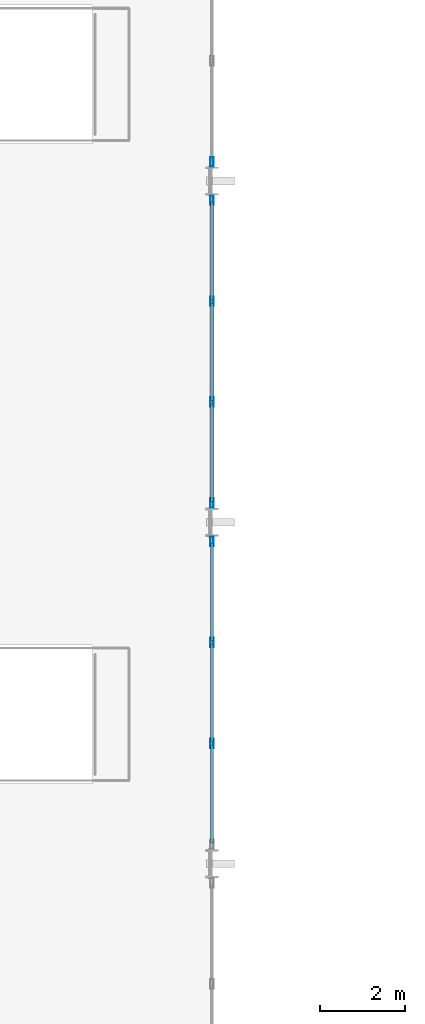
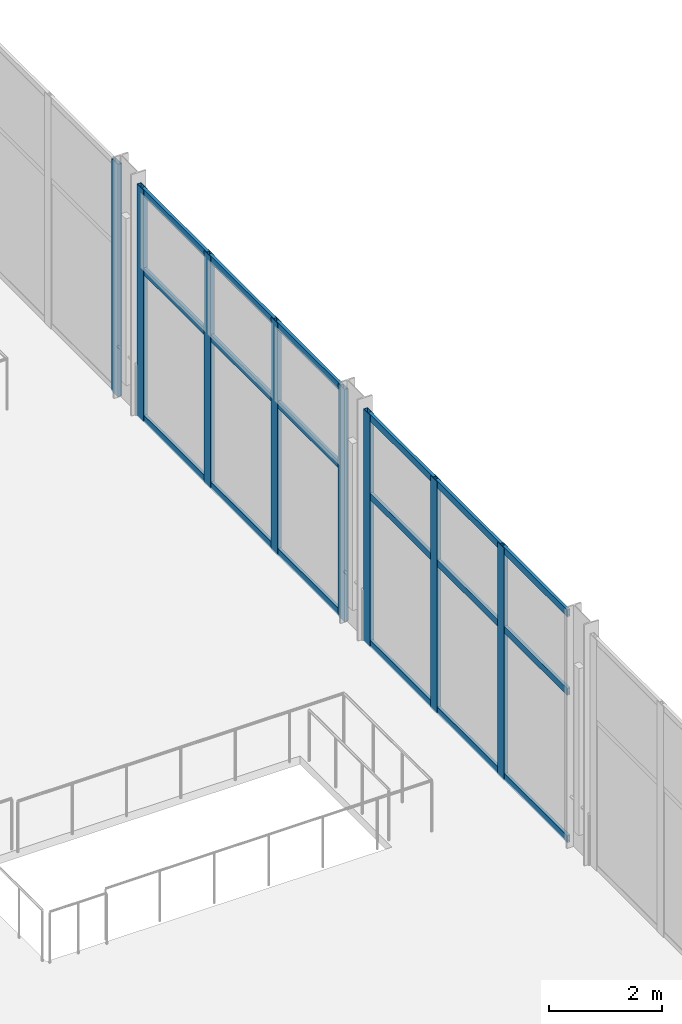
# One storey, part 77 of 195: 26 members, 3 elements without a shape of their own.
"""IFC4 building model written with IfcOpenShell, lengths in metres."""

from ifc_helpers import new_model, si_unit, direction, frame, origin, origin_2d, place, context, subcontext, project, spatial, hollow_rectangle, extrude, material, layer, layer_set, material_profile, profile_set, type_object, element, aggregate, save


model = new_model("IFC4")

# Units and contexts
model_context = context("Model", 3, precision=1e-05, world=origin(), true_north=direction((0.0, 1.0)))
body_context = subcontext(model_context, "Body", "Model", "MODEL_VIEW")
ifc_project = project(units=[si_unit("LENGTHUNIT", "METRE"), si_unit("AREAUNIT", "SQUARE_METRE"), si_unit("VOLUMEUNIT", "CUBIC_METRE"), si_unit("PLANEANGLEUNIT", "RADIAN"), si_unit("MASSUNIT", "GRAM", prefix="KILO")], contexts=[model_context])

# Site, building, storey
site_placement = place(None, origin())
site = spatial("IfcSite", under=ifc_project, at=site_placement, CompositionType="ELEMENT")
building_placement = place(site_placement, origin())
building = spatial("IfcBuilding", under=site, at=building_placement, Name="Marlcrest Central Station", CompositionType="ELEMENT")
storey_placement = place(building_placement, frame((0.0, 0.0, 9.800048828125)))
storey = spatial("IfcBuildingStorey", under=building, at=storey_placement, Name="L02", CompositionType="ELEMENT", Elevation=9.800048828125)

# Curtain wall, members
ifc_material_1 = material(Name="Anodised aluminium and hurricane laminated glass", Category="aluminium")
ifc_layer = layer(ifc_material_1, 0.219970703125, Name="CW-U1")
ifc_layer_set = layer_set([ifc_layer], Name="Anodised aluminium and hurricane laminated glass")
curtain_wall_type = type_object("IfcCurtainWallType", Name="CW-U1", PredefinedType="USERDEFINED", material=ifc_layer_set)
curtain_wall_1_placement = place(storey_placement, origin())
curtain_wall_1 = element("IfcCurtainWall", 1, at=curtain_wall_1_placement, inside=storey, type_object=curtain_wall_type, Name="cw-L02-0120", ObjectType="UNITISED_CURTAIN_WALL", PredefinedType="USERDEFINED")
ifc_material_2 = material(Name="Anodised aluminium 6063-T6", Category="aluminium")
ifc_material_profile_1 = material_profile(ifc_material_2, hollow_rectangle(XDim=0.080078125, YDim=0.219970703125, WallThickness=0.006103515625, at=origin_2d()), Name="AA-RHS 220x80x6")
ifc_profile_set_1 = profile_set([ifc_material_profile_1], Name="Anodised aluminium 6063-T6")
member_type_1 = type_object("IfcMemberType", Name="ML-01", PredefinedType="MULLION", material=ifc_profile_set_1)
member_1_placement = place(storey_placement, frame((129.0, 70.050048828125, -0.030029296875), z_axis=(0.0, 0.0, 1.0), x_axis=(1.0, 0.0, 0.0)))
member_1 = element("IfcMember", 2, at=member_1_placement, type_object=member_type_1, Name="cw-L02-0120-ml-0", PredefinedType="MULLION", context=body_context, shape_type="SweptSolid", body=[
    extrude(hollow_rectangle(XDim=0.080078125, YDim=0.219970703125, WallThickness=0.006103515625, at=origin_2d()), origin(), (0.0, 0.0, 1.0), 5.010009765625),
])
member_2_placement = place(storey_placement, frame((129.0, 67.683349609375, -0.030029296875), z_axis=(0.0, 0.0, 1.0), x_axis=(1.0, 0.0, 0.0)))
member_2 = element("IfcMember", 3, at=member_2_placement, type_object=member_type_1, Name="cw-L02-0120-ml-1", PredefinedType="MULLION", context=body_context, shape_type="SweptSolid", body=[
    extrude(hollow_rectangle(XDim=0.080078125, YDim=0.219970703125, WallThickness=0.006103515625, at=origin_2d()), origin(), (0.0, 0.0, 1.0), 5.010009765625),
])
member_3_placement = place(storey_placement, frame((129.0, 65.316650390625, -0.030029296875), z_axis=(0.0, 0.0, 1.0), x_axis=(1.0, 0.0, 0.0)))
member_3 = element("IfcMember", 4, at=member_3_placement, type_object=member_type_1, Name="cw-L02-0120-ml-2", PredefinedType="MULLION", context=body_context, shape_type="SweptSolid", body=[
    extrude(hollow_rectangle(XDim=0.080078125, YDim=0.219970703125, WallThickness=0.006103515625, at=origin_2d()), origin(), (0.0, 0.0, 1.0), 5.010009765625),
])

curtain_wall_2_placement = place(storey_placement, origin())
curtain_wall_2 = element("IfcCurtainWall", 5, at=curtain_wall_2_placement, inside=storey, type_object=curtain_wall_type, Name="cw-L02-0124", ObjectType="UNITISED_CURTAIN_WALL", PredefinedType="USERDEFINED")
member_4_placement = place(storey_placement, frame((129.0, 78.050048828125, -0.030029296875), z_axis=(0.0, 0.0, 1.0), x_axis=(1.0, 0.0, 0.0)))
member_4 = element("IfcMember", 6, at=member_4_placement, type_object=member_type_1, Name="cw-L02-0124-ml-0", PredefinedType="MULLION", context=body_context, shape_type="SweptSolid", body=[
    extrude(hollow_rectangle(XDim=0.080078125, YDim=0.219970703125, WallThickness=0.006103515625, at=origin_2d()), origin(), (0.0, 0.0, 1.0), 5.010009765625),
])
member_5_placement = place(storey_placement, frame((129.0, 75.683349609375, -0.030029296875), z_axis=(0.0, 0.0, 1.0), x_axis=(1.0, 0.0, 0.0)))
member_5 = element("IfcMember", 7, at=member_5_placement, type_object=member_type_1, Name="cw-L02-0124-ml-1", PredefinedType="MULLION", context=body_context, shape_type="SweptSolid", body=[
    extrude(hollow_rectangle(XDim=0.080078125, YDim=0.219970703125, WallThickness=0.006103515625, at=origin_2d()), origin(), (0.0, 0.0, 1.0), 5.010009765625),
])
member_6_placement = place(storey_placement, frame((129.0, 73.316650390625, -0.030029296875), z_axis=(0.0, 0.0, 1.0), x_axis=(1.0, 0.0, 0.0)))
member_6 = element("IfcMember", 8, at=member_6_placement, type_object=member_type_1, Name="cw-L02-0124-ml-2", PredefinedType="MULLION", context=body_context, shape_type="SweptSolid", body=[
    extrude(hollow_rectangle(XDim=0.080078125, YDim=0.219970703125, WallThickness=0.006103515625, at=origin_2d()), origin(), (0.0, 0.0, 1.0), 5.010009765625),
])
member_7_placement = place(storey_placement, frame((129.0, 70.949951171875, -0.030029296875), z_axis=(0.0, 0.0, 1.0), x_axis=(1.0, 0.0, 0.0)))
member_7 = element("IfcMember", 9, at=member_7_placement, type_object=member_type_1, Name="cw-L02-0124-ml-3", PredefinedType="MULLION", context=body_context, shape_type="SweptSolid", body=[
    extrude(hollow_rectangle(XDim=0.080078125, YDim=0.219970703125, WallThickness=0.006103515625, at=origin_2d()), origin(), (0.0, 0.0, 1.0), 5.010009765625),
])

# Curtain wall, member
curtain_wall_3_placement = place(storey_placement, origin())
curtain_wall_3 = element("IfcCurtainWall", 10, at=curtain_wall_3_placement, inside=storey, type_object=curtain_wall_type, Name="cw-L02-0128", ObjectType="UNITISED_CURTAIN_WALL", PredefinedType="USERDEFINED")
member_8_placement = place(storey_placement, frame((129.0, 78.949951171875, -0.030029296875), z_axis=(0.0, 0.0, 1.0), x_axis=(1.0, 0.0, 0.0)))
member_8 = element("IfcMember", 11, at=member_8_placement, type_object=member_type_1, Name="cw-L02-0128-ml-3", PredefinedType="MULLION", context=body_context, shape_type="SweptSolid", body=[
    extrude(hollow_rectangle(XDim=0.080078125, YDim=0.219970703125, WallThickness=0.006103515625, at=origin_2d()), origin(), (0.0, 0.0, 1.0), 5.010009765625),
])
aggregate(curtain_wall_3, [member_8])

# Member
ifc_material_profile_2 = material_profile(ifc_material_2, hollow_rectangle(XDim=0.06005859375, YDim=0.14990234375, WallThickness=0.00390625, at=origin_2d()), Name="AA-RHS 150x60x4")
ifc_profile_set_2 = profile_set([ifc_material_profile_2], Name="Anodised aluminium 6063-T6")
member_type_2 = type_object("IfcMemberType", Name="TR-01", PredefinedType="USERDEFINED", material=ifc_profile_set_2)
member_9_placement = place(storey_placement, frame((129.0, 70.011962890625, 0.0400390625), z_axis=(0.0, -1.0, 0.0), x_axis=(1.0, 0.0, 0.0)))
member_9 = element("IfcMember", 12, at=member_9_placement, type_object=member_type_2, Name="cw-L02-0120-tr-0-sill", ObjectType="TRANSOM", PredefinedType="USERDEFINED", context=body_context, shape_type="SweptSolid", body=[
    extrude(hollow_rectangle(XDim=0.06005859375, YDim=0.14990234375, WallThickness=0.00390625, at=origin_2d()), origin(), (0.0, 0.0, 1.0), 2.290771484375),
])

member_10_placement = place(storey_placement, frame((129.0, 70.011962890625, 3.218017578125), z_axis=(0.0, -1.0, 0.0), x_axis=(1.0, 0.0, 0.0)))
member_10 = element("IfcMember", 13, at=member_10_placement, type_object=member_type_2, Name="cw-L02-0120-tr-0-mid", ObjectType="TRANSOM", PredefinedType="USERDEFINED", context=body_context, shape_type="SweptSolid", body=[
    extrude(hollow_rectangle(XDim=0.06005859375, YDim=0.14990234375, WallThickness=0.00390625, at=origin_2d()), origin(), (0.0, 0.0, 1.0), 2.290771484375),
])

member_11_placement = place(storey_placement, frame((129.0, 70.011962890625, 4.909912109375), z_axis=(0.0, -1.0, 0.0), x_axis=(1.0, 0.0, 0.0)))
member_11 = element("IfcMember", 14, at=member_11_placement, type_object=member_type_2, Name="cw-L02-0120-tr-0-head", ObjectType="TRANSOM", PredefinedType="USERDEFINED", context=body_context, shape_type="SweptSolid", body=[
    extrude(hollow_rectangle(XDim=0.06005859375, YDim=0.14990234375, WallThickness=0.00390625, at=origin_2d()), origin(), (0.0, 0.0, 1.0), 2.290771484375),
])

member_12_placement = place(storey_placement, frame((129.0, 67.645263671875, 0.0400390625), z_axis=(0.0, -1.0, 0.0), x_axis=(1.0, 0.0, 0.0)))
member_12 = element("IfcMember", 15, at=member_12_placement, type_object=member_type_2, Name="cw-L02-0120-tr-1-sill", ObjectType="TRANSOM", PredefinedType="USERDEFINED", context=body_context, shape_type="SweptSolid", body=[
    extrude(hollow_rectangle(XDim=0.06005859375, YDim=0.14990234375, WallThickness=0.00390625, at=origin_2d()), origin(), (0.0, 0.0, 1.0), 2.29052734375),
])

member_13_placement = place(storey_placement, frame((129.0, 67.645263671875, 3.218017578125), z_axis=(0.0, -1.0, 0.0), x_axis=(1.0, 0.0, 0.0)))
member_13 = element("IfcMember", 16, at=member_13_placement, type_object=member_type_2, Name="cw-L02-0120-tr-1-mid", ObjectType="TRANSOM", PredefinedType="USERDEFINED", context=body_context, shape_type="SweptSolid", body=[
    extrude(hollow_rectangle(XDim=0.06005859375, YDim=0.14990234375, WallThickness=0.00390625, at=origin_2d()), origin(), (0.0, 0.0, 1.0), 2.29052734375),
])

member_14_placement = place(storey_placement, frame((129.0, 67.645263671875, 4.909912109375), z_axis=(0.0, -1.0, 0.0), x_axis=(1.0, 0.0, 0.0)))
member_14 = element("IfcMember", 17, at=member_14_placement, type_object=member_type_2, Name="cw-L02-0120-tr-1-head", ObjectType="TRANSOM", PredefinedType="USERDEFINED", context=body_context, shape_type="SweptSolid", body=[
    extrude(hollow_rectangle(XDim=0.06005859375, YDim=0.14990234375, WallThickness=0.00390625, at=origin_2d()), origin(), (0.0, 0.0, 1.0), 2.29052734375),
])

member_15_placement = place(storey_placement, frame((129.0, 65.27880859375, 0.0400390625), z_axis=(0.0, -1.0, 0.0), x_axis=(1.0, 0.0, 0.0)))
member_15 = element("IfcMember", 18, at=member_15_placement, type_object=member_type_2, Name="cw-L02-0120-tr-2-sill", ObjectType="TRANSOM", PredefinedType="USERDEFINED", context=body_context, shape_type="SweptSolid", body=[
    extrude(hollow_rectangle(XDim=0.06005859375, YDim=0.14990234375, WallThickness=0.00390625, at=origin_2d()), origin(), (0.0, 0.0, 1.0), 2.290771484375),
])

member_16_placement = place(storey_placement, frame((129.0, 65.27880859375, 3.218017578125), z_axis=(0.0, -1.0, 0.0), x_axis=(1.0, 0.0, 0.0)))
member_16 = element("IfcMember", 19, at=member_16_placement, type_object=member_type_2, Name="cw-L02-0120-tr-2-mid", ObjectType="TRANSOM", PredefinedType="USERDEFINED", context=body_context, shape_type="SweptSolid", body=[
    extrude(hollow_rectangle(XDim=0.06005859375, YDim=0.14990234375, WallThickness=0.00390625, at=origin_2d()), origin(), (0.0, 0.0, 1.0), 2.290771484375),
])

member_17_placement = place(storey_placement, frame((129.0, 65.27880859375, 4.909912109375), z_axis=(0.0, -1.0, 0.0), x_axis=(1.0, 0.0, 0.0)))
member_17 = element("IfcMember", 20, at=member_17_placement, type_object=member_type_2, Name="cw-L02-0120-tr-2-head", ObjectType="TRANSOM", PredefinedType="USERDEFINED", context=body_context, shape_type="SweptSolid", body=[
    extrude(hollow_rectangle(XDim=0.06005859375, YDim=0.14990234375, WallThickness=0.00390625, at=origin_2d()), origin(), (0.0, 0.0, 1.0), 2.290771484375),
])

aggregate(curtain_wall_1, [member_1, member_2, member_3, member_9, member_10, member_11, member_12, member_13, member_14, member_15, member_16, member_17])

member_18_placement = place(storey_placement, frame((129.0, 78.011962890625, 0.0400390625), z_axis=(0.0, -1.0, 0.0), x_axis=(1.0, 0.0, 0.0)))
member_18 = element("IfcMember", 21, at=member_18_placement, type_object=member_type_2, Name="cw-L02-0124-tr-0-sill", ObjectType="TRANSOM", PredefinedType="USERDEFINED", context=body_context, shape_type="SweptSolid", body=[
    extrude(hollow_rectangle(XDim=0.06005859375, YDim=0.14990234375, WallThickness=0.00390625, at=origin_2d()), origin(), (0.0, 0.0, 1.0), 2.290771484375),
])

member_19_placement = place(storey_placement, frame((129.0, 78.011962890625, 3.218017578125), z_axis=(0.0, -1.0, 0.0), x_axis=(1.0, 0.0, 0.0)))
member_19 = element("IfcMember", 22, at=member_19_placement, type_object=member_type_2, Name="cw-L02-0124-tr-0-mid", ObjectType="TRANSOM", PredefinedType="USERDEFINED", context=body_context, shape_type="SweptSolid", body=[
    extrude(hollow_rectangle(XDim=0.06005859375, YDim=0.14990234375, WallThickness=0.00390625, at=origin_2d()), origin(), (0.0, 0.0, 1.0), 2.290771484375),
])

member_20_placement = place(storey_placement, frame((129.0, 78.011962890625, 4.909912109375), z_axis=(0.0, -1.0, 0.0), x_axis=(1.0, 0.0, 0.0)))
member_20 = element("IfcMember", 23, at=member_20_placement, type_object=member_type_2, Name="cw-L02-0124-tr-0-head", ObjectType="TRANSOM", PredefinedType="USERDEFINED", context=body_context, shape_type="SweptSolid", body=[
    extrude(hollow_rectangle(XDim=0.06005859375, YDim=0.14990234375, WallThickness=0.00390625, at=origin_2d()), origin(), (0.0, 0.0, 1.0), 2.290771484375),
])

member_21_placement = place(storey_placement, frame((129.0, 75.645263671875, 0.0400390625), z_axis=(0.0, -1.0, 0.0), x_axis=(1.0, 0.0, 0.0)))
member_21 = element("IfcMember", 24, at=member_21_placement, type_object=member_type_2, Name="cw-L02-0124-tr-1-sill", ObjectType="TRANSOM", PredefinedType="USERDEFINED", context=body_context, shape_type="SweptSolid", body=[
    extrude(hollow_rectangle(XDim=0.06005859375, YDim=0.14990234375, WallThickness=0.00390625, at=origin_2d()), origin(), (0.0, 0.0, 1.0), 2.29052734375),
])

member_22_placement = place(storey_placement, frame((129.0, 75.645263671875, 3.218017578125), z_axis=(0.0, -1.0, 0.0), x_axis=(1.0, 0.0, 0.0)))
member_22 = element("IfcMember", 25, at=member_22_placement, type_object=member_type_2, Name="cw-L02-0124-tr-1-mid", ObjectType="TRANSOM", PredefinedType="USERDEFINED", context=body_context, shape_type="SweptSolid", body=[
    extrude(hollow_rectangle(XDim=0.06005859375, YDim=0.14990234375, WallThickness=0.00390625, at=origin_2d()), origin(), (0.0, 0.0, 1.0), 2.29052734375),
])

member_23_placement = place(storey_placement, frame((129.0, 75.645263671875, 4.909912109375), z_axis=(0.0, -1.0, 0.0), x_axis=(1.0, 0.0, 0.0)))
member_23 = element("IfcMember", 26, at=member_23_placement, type_object=member_type_2, Name="cw-L02-0124-tr-1-head", ObjectType="TRANSOM", PredefinedType="USERDEFINED", context=body_context, shape_type="SweptSolid", body=[
    extrude(hollow_rectangle(XDim=0.06005859375, YDim=0.14990234375, WallThickness=0.00390625, at=origin_2d()), origin(), (0.0, 0.0, 1.0), 2.29052734375),
])

member_24_placement = place(storey_placement, frame((129.0, 73.27880859375, 0.0400390625), z_axis=(0.0, -1.0, 0.0), x_axis=(1.0, 0.0, 0.0)))
member_24 = element("IfcMember", 27, at=member_24_placement, type_object=member_type_2, Name="cw-L02-0124-tr-2-sill", ObjectType="TRANSOM", PredefinedType="USERDEFINED", context=body_context, shape_type="SweptSolid", body=[
    extrude(hollow_rectangle(XDim=0.06005859375, YDim=0.14990234375, WallThickness=0.00390625, at=origin_2d()), origin(), (0.0, 0.0, 1.0), 2.290771484375),
])

member_25_placement = place(storey_placement, frame((129.0, 73.27880859375, 3.218017578125), z_axis=(0.0, -1.0, 0.0), x_axis=(1.0, 0.0, 0.0)))
member_25 = element("IfcMember", 28, at=member_25_placement, type_object=member_type_2, Name="cw-L02-0124-tr-2-mid", ObjectType="TRANSOM", PredefinedType="USERDEFINED", context=body_context, shape_type="SweptSolid", body=[
    extrude(hollow_rectangle(XDim=0.06005859375, YDim=0.14990234375, WallThickness=0.00390625, at=origin_2d()), origin(), (0.0, 0.0, 1.0), 2.290771484375),
])

member_26_placement = place(storey_placement, frame((129.0, 73.27880859375, 4.909912109375), z_axis=(0.0, -1.0, 0.0), x_axis=(1.0, 0.0, 0.0)))
member_26 = element("IfcMember", 29, at=member_26_placement, type_object=member_type_2, Name="cw-L02-0124-tr-2-head", ObjectType="TRANSOM", PredefinedType="USERDEFINED", context=body_context, shape_type="SweptSolid", body=[
    extrude(hollow_rectangle(XDim=0.06005859375, YDim=0.14990234375, WallThickness=0.00390625, at=origin_2d()), origin(), (0.0, 0.0, 1.0), 2.290771484375),
])

aggregate(curtain_wall_2, [member_4, member_5, member_6, member_7, member_18, member_19, member_20, member_21, member_22, member_23, member_24, member_25, member_26])

save(model, "model.ifc")
